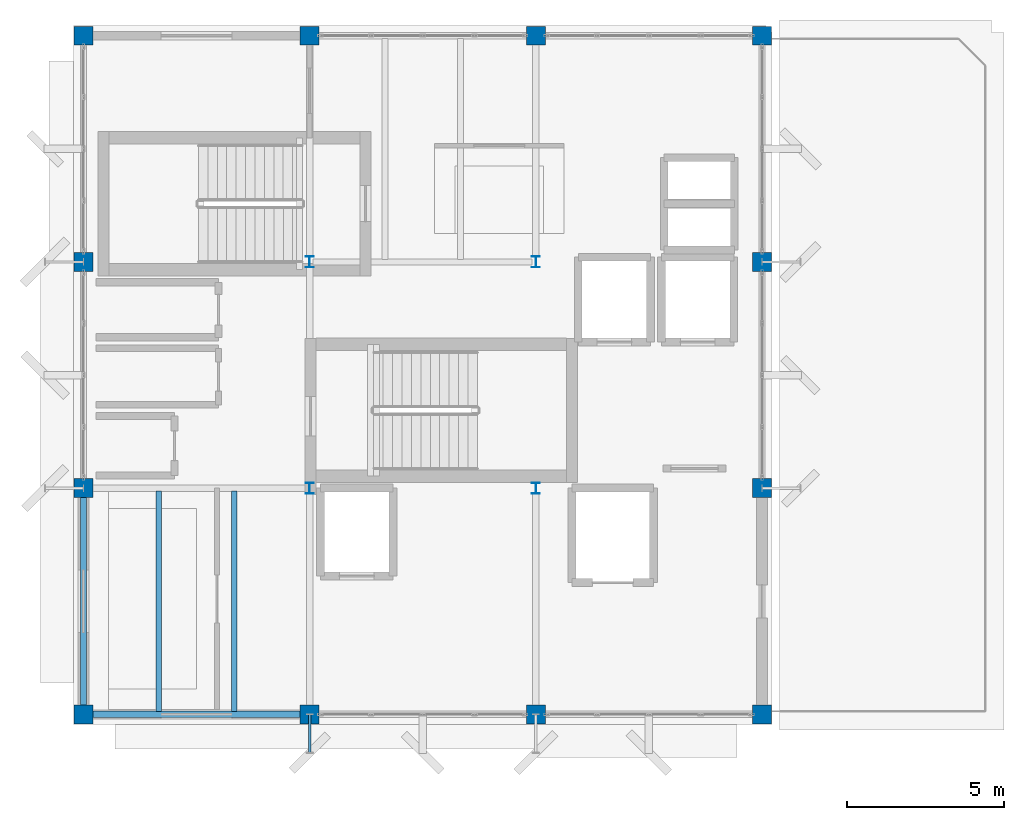
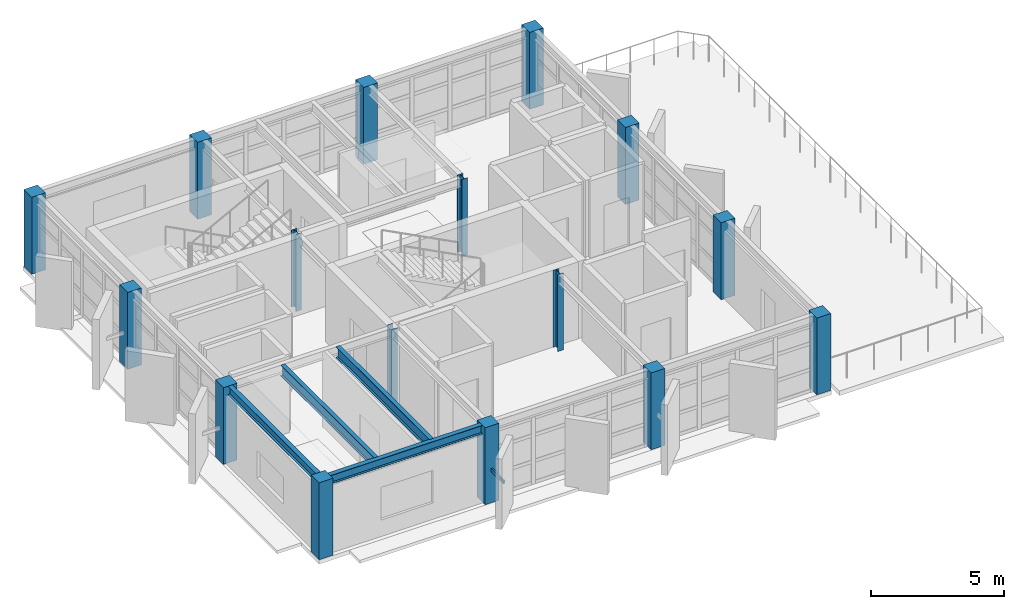
# One storey, part 1 of 13: 16 columns, 4 beams, 1 member.
"""IFC4 building model written with IfcOpenShell, lengths in metres."""

from ifc_helpers import new_model, si_unit, direction, frame, origin, origin_2d, place, context, subcontext, project, spatial, rectangle, hollow_rectangle, i_section, extrude, material, material_profile, profile_set, type_object, element, save


model = new_model("IFC4")

# Units and contexts
model_context = context("Model", 3, precision=1e-05, world=origin(), true_north=direction((0.0, 1.0)))
body_context = subcontext(model_context, "Body", "Model", "MODEL_VIEW")
ifc_project = project(units=[si_unit("LENGTHUNIT", "METRE"), si_unit("AREAUNIT", "SQUARE_METRE"), si_unit("VOLUMEUNIT", "CUBIC_METRE"), si_unit("PLANEANGLEUNIT", "RADIAN"), si_unit("MASSUNIT", "GRAM", prefix="KILO")], contexts=[model_context])

# Site, building, storey
site_placement = place(None, origin())
site = spatial("IfcSite", under=ifc_project, at=site_placement, CompositionType="ELEMENT")
building_placement = place(site_placement, origin())
building = spatial("IfcBuilding", under=site, at=building_placement, Name="Kandorven Conservatory and Botanical Research Centre", CompositionType="ELEMENT")
storey_placement = place(building_placement, frame((0.0, 0.0, 59.39990234375)))
storey = spatial("IfcBuildingStorey", under=building, at=storey_placement, Name="L15", CompositionType="ELEMENT", Elevation=59.39990234375)

# Columns
ifc_material_1 = material(Name="Steel S355 (IS 2062 E350)", Category="steel")
ifc_material_profile_1 = material_profile(ifc_material_1, i_section(OverallWidth=0.25, OverallDepth=0.35009765625, WebThickness=0.010009765625, FlangeThickness=0.01171875, at=origin_2d()))
ifc_profile_set_1 = profile_set([ifc_material_profile_1], Name="Steel S355 (IS 2062 E350)")
column_type_1 = type_object("IfcColumnType", Name="Col_SC-03", PredefinedType="COLUMN", material=ifc_profile_set_1)
for number, where, z_axis, x_axis, name in (
    (1, (13.199951171875, 13.199951171875, 0.0), (0.0, 0.0, 1.0), (1.0, 0.0, 0.0), "Column SC-03 TWR L15 (2,2)"),
    (2, (13.199951171875, 20.39990234375, 0.0), (0.0, 0.0, 1.0), (1.0, 0.0, 0.0), "Column SC-03 TWR L15 (2,3)"),
    (3, (20.39990234375, 13.199951171875, 0.0), (0.0, 0.0, 1.0), (1.0, 0.0, 0.0), "Column SC-03 TWR L15 (3,2)"),
    (4, (20.39990234375, 20.39990234375, 0.0), (0.0, 0.0, 1.0), (1.0, 0.0, 0.0), "Column SC-03 TWR L15 (3,3)"),
):
    element("IfcColumn", number, at=place(storey_placement, frame(where, z_axis=z_axis, x_axis=x_axis)), inside=storey, type_object=column_type_1, Name=name, PredefinedType="COLUMN", context=body_context, shape_type="SweptSolid", body=[
        extrude(i_section(OverallWidth=0.25, OverallDepth=0.35009765625, WebThickness=0.010009765625, FlangeThickness=0.01171875, at=origin_2d()), origin(), (0.0, 0.0, 1.0), 3.530029296875),
    ])
ifc_material_2 = material(Name="Concrete C40/50 (M50)", Category="concrete")
ifc_material_profile_2 = material_profile(ifc_material_2, rectangle(XDim=0.60009765625, YDim=0.60009765625, at=origin_2d()))
ifc_profile_set_2 = profile_set([ifc_material_profile_2], Name="Concrete C40/50 (M50)")
column_type_2 = type_object("IfcColumnType", Name="Col_TC-04", PredefinedType="COLUMN", material=ifc_profile_set_2)
for number, where, z_axis, x_axis, name in (
    (5, (6.0, 6.0, 0.0), (0.0, 0.0, 1.0), (1.0, 0.0, 0.0), "Column TC-04 TWR L15 (1,1)"),
    (6, (6.0, 13.199951171875, 0.0), (0.0, 0.0, 1.0), (1.0, 0.0, 0.0), "Column TC-04 TWR L15 (1,2)"),
    (7, (6.0, 20.39990234375, 0.0), (0.0, 0.0, 1.0), (1.0, 0.0, 0.0), "Column TC-04 TWR L15 (1,3)"),
    (8, (6.0, 27.60009765625, 0.0), (0.0, 0.0, 1.0), (1.0, 0.0, 0.0), "Column TC-04 TWR L15 (1,4)"),
    (9, (13.199951171875, 6.0, 0.0), (0.0, 0.0, 1.0), (1.0, 0.0, 0.0), "Column TC-04 TWR L15 (2,1)"),
    (10, (13.199951171875, 27.60009765625, 0.0), (0.0, 0.0, 1.0), (1.0, 0.0, 0.0), "Column TC-04 TWR L15 (2,4)"),
    (11, (20.39990234375, 6.0, 0.0), (0.0, 0.0, 1.0), (1.0, 0.0, 0.0), "Column TC-04 TWR L15 (3,1)"),
    (12, (20.39990234375, 27.60009765625, 0.0), (0.0, 0.0, 1.0), (1.0, 0.0, 0.0), "Column TC-04 TWR L15 (3,4)"),
    (13, (27.60009765625, 6.0, 0.0), (0.0, 0.0, 1.0), (1.0, 0.0, 0.0), "Column TC-04 TWR L15 (4,1)"),
    (14, (27.60009765625, 13.199951171875, 0.0), (0.0, 0.0, 1.0), (1.0, 0.0, 0.0), "Column TC-04 TWR L15 (4,2)"),
    (15, (27.60009765625, 20.39990234375, 0.0), (0.0, 0.0, 1.0), (1.0, 0.0, 0.0), "Column TC-04 TWR L15 (4,3)"),
    (16, (27.60009765625, 27.60009765625, 0.0), (0.0, 0.0, 1.0), (1.0, 0.0, 0.0), "Column TC-04 TWR L15 (4,4)"),
):
    element("IfcColumn", number, at=place(storey_placement, frame(where, z_axis=z_axis, x_axis=x_axis)), inside=storey, type_object=column_type_2, Name=name, PredefinedType="COLUMN", context=body_context, shape_type="SweptSolid", body=[
        extrude(rectangle(XDim=0.60009765625, YDim=0.60009765625, at=origin_2d()), origin(), (0.0, 0.0, 1.0), 3.530029296875),
    ])

# Beams
ifc_material_3 = material(Name="Steel S355 (IS 2062 E350)", Category="steel")
ifc_material_profile_3 = material_profile(ifc_material_3, i_section(OverallWidth=0.199951171875, OverallDepth=0.39990234375, WebThickness=0.008544921875, FlangeThickness=0.012939453125, at=origin_2d()))
ifc_profile_set_3 = profile_set([ifc_material_profile_3], Name="Steel S355 (IS 2062 E350)")
beam_type_1 = type_object("IfcBeamType", Name="Beam_FG-03", PredefinedType="USERDEFINED", material=ifc_profile_set_3)
for number, where, z_axis, x_axis, name in (
    (17, (6.2900390625, 6.0, 3.330078125), (1.0, 0.0, 0.0), (0.0, 1.0, 0.0), "Primary girder FG-03 TWR L15"),
    (18, (6.0, 6.2900390625, 3.330078125), (0.0, 1.0, 0.0), (-1.0, 0.0, 0.0), "Primary girder FG-03 TWR L15"),
):
    element("IfcBeam", number, at=place(storey_placement, frame(where, z_axis=z_axis, x_axis=x_axis)), inside=storey, type_object=beam_type_1, Name=name, ObjectType="GIRDER", PredefinedType="USERDEFINED", context=body_context, shape_type="SweptSolid", body=[
        extrude(i_section(OverallWidth=0.199951171875, OverallDepth=0.39990234375, WebThickness=0.008544921875, FlangeThickness=0.012939453125, at=origin_2d()), origin(), (0.0, 0.0, 1.0), 6.619873046875),
    ])
ifc_material_4 = material(Name="Steel S355 (IS 2062 E350)", Category="steel")
ifc_material_profile_4 = material_profile(ifc_material_4, i_section(OverallWidth=0.179931640625, OverallDepth=0.5, WebThickness=0.01025390625, FlangeThickness=0.01708984375, at=origin_2d()))
ifc_profile_set_4 = profile_set([ifc_material_profile_4], Name="Steel S355 (IS 2062 E350)")
beam_type_2 = type_object("IfcBeamType", Name="Beam_SB-03", PredefinedType="BEAM", material=ifc_profile_set_4)
for number, where, z_axis, x_axis, name in (
    (19, (8.39990234375, 6.0849609375, 3.280029296875), (0.0, 1.0, 0.0), (-1.0, 0.0, 0.0), "Composite secondary beam SB-03 TWR L15"),
    (20, (10.800048828125, 6.0849609375, 3.280029296875), (0.0, 1.0, 0.0), (-1.0, 0.0, 0.0), "Composite secondary beam SB-03 TWR L15"),
):
    element("IfcBeam", number, at=place(storey_placement, frame(where, z_axis=z_axis, x_axis=x_axis)), inside=storey, type_object=beam_type_2, Name=name, PredefinedType="BEAM", context=body_context, shape_type="SweptSolid", body=[
        extrude(i_section(OverallWidth=0.179931640625, OverallDepth=0.5, WebThickness=0.01025390625, FlangeThickness=0.01708984375, at=origin_2d()), origin(), (0.0, 0.0, 1.0), 7.030029296875),
    ])

# Member
ifc_material_5 = material(Name="Steel S355 (IS 2062 E350)", Category="steel")
ifc_material_profile_5 = material_profile(ifc_material_5, hollow_rectangle(XDim=0.074951171875, YDim=0.14990234375, WallThickness=0.006103515625, at=origin_2d()))
ifc_profile_set_5 = profile_set([ifc_material_profile_5], Name="Steel S355 (IS 2062 E350)")
member_type = type_object("IfcMemberType", Name="Mem_SF-01", PredefinedType="STRUT", material=ifc_profile_set_5)
member_placement = place(storey_placement, frame((13.199951171875, 6.0, 1.5), z_axis=(0.0, -1.0, 0.0), x_axis=(1.0, 0.0, 0.0)))
element("IfcMember", 21, at=member_placement, inside=storey, type_object=member_type, Name="Solar fin steel outrigger strut SF-01 #133", PredefinedType="STRUT", context=body_context, shape_type="SweptSolid", body=[
    extrude(hollow_rectangle(XDim=0.074951171875, YDim=0.14990234375, WallThickness=0.006103515625, at=origin_2d()), origin(), (0.0, 0.0, 1.0), 1.219970703125),
])

save(model, "model.ifc")
